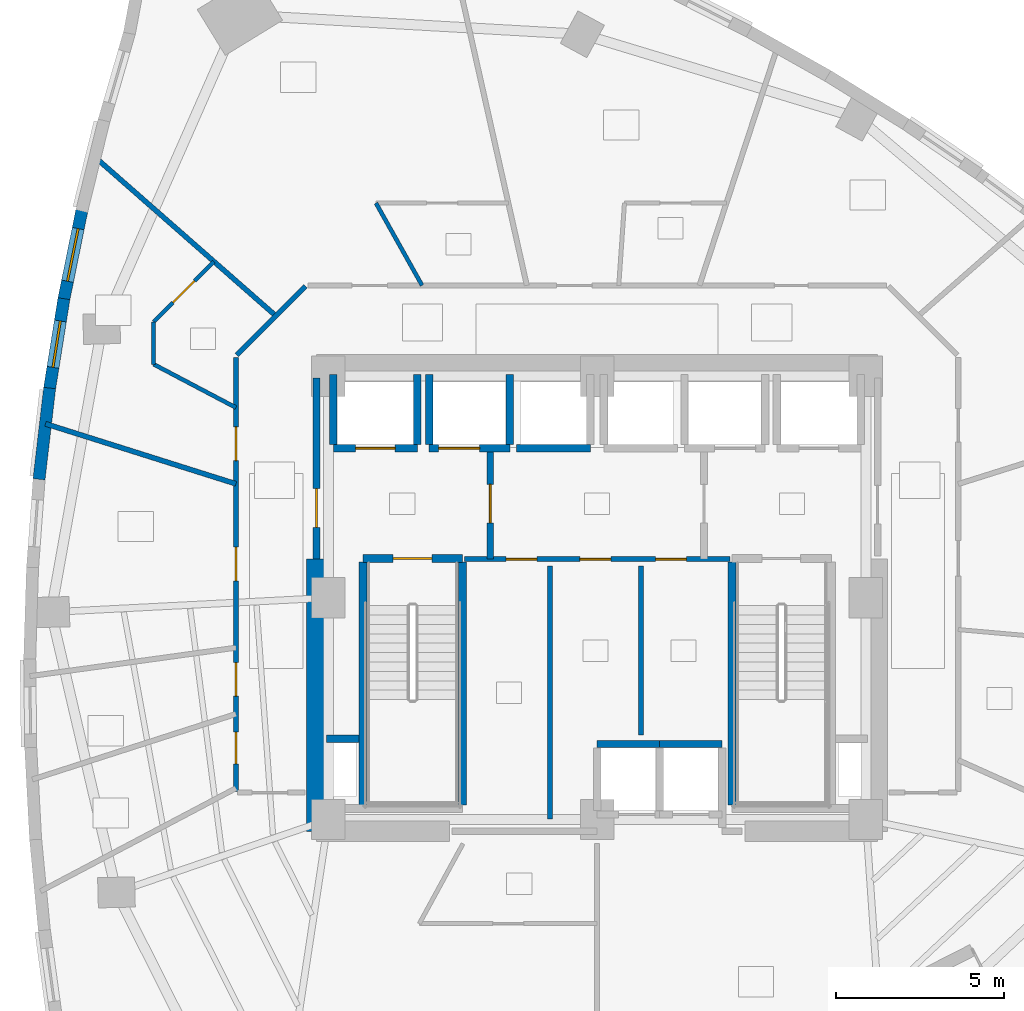
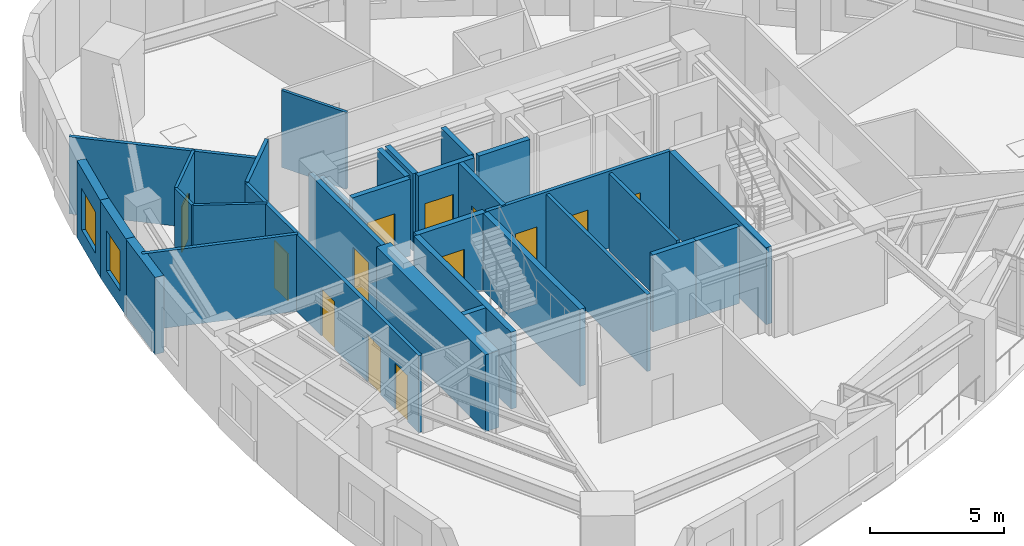
# One storey, part 6 of 11: 31 walls, 13 doors, 2 windows, 15 openings.
"""IFC4 building model written with IfcOpenShell, lengths in metres."""

from ifc_helpers import new_model, si_unit, direction, frame, frame_2d, origin, place, context, subcontext, project, spatial, rectangle, extrude, material, layer, layer_set, type_object, element, fill, save


model = new_model("IFC4")

# Units and contexts
model_context = context("Model", 3, precision=1e-05, world=origin(), true_north=direction((0.0, 1.0)))
body_context = subcontext(model_context, "Body", "Model", "MODEL_VIEW")
ifc_project = project(units=[si_unit("LENGTHUNIT", "METRE"), si_unit("AREAUNIT", "SQUARE_METRE"), si_unit("VOLUMEUNIT", "CUBIC_METRE"), si_unit("PLANEANGLEUNIT", "RADIAN"), si_unit("MASSUNIT", "GRAM", prefix="KILO")], contexts=[model_context])

# Site, building, storey
site_placement = place(None, origin())
site = spatial("IfcSite", under=ifc_project, at=site_placement, CompositionType="ELEMENT")
building_placement = place(site_placement, origin())
building = spatial("IfcBuilding", under=site, at=building_placement, Name="Ndelora Gate Hotel", CompositionType="ELEMENT")
storey_placement = place(building_placement, frame((0.0, 0.0, 108.5)))
storey = spatial("IfcBuildingStorey", under=building, at=storey_placement, Name="L26", CompositionType="ELEMENT", Elevation=108.5)

# Wall, opening, window
ifc_material_1 = material(Name="Clay Brick Masonry", Category="masonry")
ifc_layer_1 = layer(ifc_material_1, 0.360107421875)
ifc_layer_set_1 = layer_set([ifc_layer_1], Name="Clay Brick Masonry")
wall_type_1 = type_object("IfcWallType", Name="WL-BRICK-360", PredefinedType="SOLIDWALL", material=ifc_layer_set_1)
wall_1_placement = place(storey_placement, frame((-15.879638671875, 8.855224609375, 0.0), z_axis=(0.0, 0.0, 1.0), x_axis=(0.198770408376, 0.980046082975, 0.0)))
wall_1 = element("IfcWall", 1, at=wall_1_placement, inside=storey, type_object=wall_type_1, Name="L26 Tower Brick Pier-and-Spandrel Wall TWR-11", PredefinedType="SOLIDWALL", context=body_context, shape_type="SweptSolid", body=[
    extrude(rectangle(XDim=2.758544921875, YDim=0.360107421875, at=frame_2d((1.37939453125, 0.0))), origin(), (0.0, 0.0, 1.0), 3.5),
])
opening_1_placement = place(wall_1_placement, frame((0.579345703125, 0.0, 0.719970703125)))
opening_1 = element("IfcOpeningElement", 2, at=opening_1_placement, cuts=wall_1, Name="Opening W01", PredefinedType="OPENING", context=body_context, shape_type="SweptSolid", body=[
    extrude(rectangle(XDim=1.60009765625, YDim=1.8798828125, at=frame_2d((0.800048828125, 0.93994140625))), frame((0.0, 0.18994140625, 0.0), z_axis=(0.0, -1.0, 0.0), x_axis=(1.0, 0.0, 0.0)), (0.0, 0.0, 1.0), 0.380126953125),
])
ifc_material_2 = material(Name="Insulated Low-E Double Glazing in Bronze Aluminium Frame", Category="aluminium")
window_type_1 = type_object("IfcWindowType", Name="WN-DEEP-1600", PartitioningType="SINGLE_PANEL", PredefinedType="WINDOW", material=ifc_material_2)
window_1_placement = place(opening_1_placement, origin())
window_1 = element("IfcWindow", 3, at=window_1_placement, inside=storey, type_object=window_type_1, Name="L26 Deep-Set Brick-Pier Window W01", OverallHeight=1.8798828125, OverallWidth=1.60009765625, PartitioningType="SINGLE_PANEL", PredefinedType="WINDOW", context=body_context, shape_type="SweptSolid", body=[
    extrude(rectangle(XDim=1.60009765625, YDim=1.8798828125, at=frame_2d((0.800048828125, 0.93994140625))), frame((0.0, 0.030029296875, 0.0), z_axis=(0.0, -1.0, 0.0), x_axis=(1.0, 0.0, 0.0)), (0.0, 0.0, 1.0), 0.06005859375),
])
fill(opening_1, window_1)

wall_2_placement = place(storey_placement, frame((-16.302978515625, 6.19482421875, 0.0), z_axis=(0.0, 0.0, 1.0), x_axis=(0.157483842532, 0.987521563988, 0.0)))
wall_2 = element("IfcWall", 4, at=wall_2_placement, inside=storey, type_object=wall_type_1, Name="L26 Tower Brick Pier-and-Spandrel Wall TWR-12", PredefinedType="SOLIDWALL", context=body_context, shape_type="SweptSolid", body=[
    extrude(rectangle(XDim=2.743896484375, YDim=0.360107421875, at=frame_2d((1.3720703125, 0.0))), origin(), (0.0, 0.0, 1.0), 3.5),
])
opening_2_placement = place(wall_2_placement, frame((0.672119140625, 0.0, 0.719970703125)))
opening_2 = element("IfcOpeningElement", 5, at=opening_2_placement, cuts=wall_2, Name="Opening W02", PredefinedType="OPENING", context=body_context, shape_type="SweptSolid", body=[
    extrude(rectangle(XDim=1.39990234375, YDim=1.840087890625, at=frame_2d((0.699951171875, 0.919921875))), frame((0.0, 0.18994140625, 0.0), z_axis=(0.0, -1.0, 0.0), x_axis=(1.0, 0.0, 0.0)), (0.0, 0.0, 1.0), 0.380126953125),
])
window_type_2 = type_object("IfcWindowType", Name="WN-DEEP-1400", PartitioningType="SINGLE_PANEL", PredefinedType="WINDOW", material=ifc_material_2)
window_2_placement = place(opening_2_placement, origin())
window_2 = element("IfcWindow", 6, at=window_2_placement, inside=storey, type_object=window_type_2, Name="L26 Deep-Set Brick-Pier Window W02", OverallHeight=1.840087890625, OverallWidth=1.39990234375, PartitioningType="SINGLE_PANEL", PredefinedType="WINDOW", context=body_context, shape_type="SweptSolid", body=[
    extrude(rectangle(XDim=1.39990234375, YDim=1.840087890625, at=frame_2d((0.699951171875, 0.919921875))), frame((0.0, 0.030029296875, 0.0), z_axis=(0.0, -1.0, 0.0), x_axis=(1.0, 0.0, 0.0)), (0.0, 0.0, 1.0), 0.06005859375),
])
fill(opening_2, window_2)

# Walls
wall_3_placement = place(storey_placement, frame((-16.61279296875, 3.5283203125, 0.0), z_axis=(0.0, 0.0, 1.0), x_axis=(0.115711868465, 0.993282821505, 0.0)))
element("IfcWall", 7, at=wall_3_placement, inside=storey, type_object=wall_type_1, Name="L26 Tower Brick Pier-and-Spandrel Wall TWR-13", PredefinedType="SOLIDWALL", context=body_context, shape_type="SweptSolid", body=[
    extrude(rectangle(XDim=2.734375, YDim=0.360107421875, at=frame_2d((1.3671875, 0.0))), origin(), (0.0, 0.0, 1.0), 3.5),
])
ifc_material_3 = material(Name="Concrete C60/75", Category="concrete")
ifc_layer_2 = layer(ifc_material_3, 0.60009765625)
ifc_layer_set_2 = layer_set([ifc_layer_2], Name="Concrete C60/75")
wall_type_2 = type_object("IfcWallType", Name="WL-CORE-600", PredefinedType="SHEAR", material=ifc_layer_set_2)
wall_4_placement = place(storey_placement, frame((-8.35009765625, -6.949951171875, 0.0), z_axis=(0.0, 0.0, 1.0), x_axis=(0.0, 1.0, 0.0)))
element("IfcWall", 8, at=wall_4_placement, inside=storey, type_object=wall_type_2, Name="L26 Core Shear Wall W", PredefinedType="SHEAR", context=body_context, shape_type="SweptSolid", body=[
    extrude(rectangle(XDim=8.099853515625, YDim=0.60009765625, at=frame_2d((4.0498046875, 0.0))), origin(), (0.0, 0.0, 1.0), 3.5),
])

# Wall, opening, door
ifc_material_4 = material(Name="Concrete C40/50", Category="concrete")
ifc_layer_3 = layer(ifc_material_4, 0.199951171875)
ifc_layer_set_3 = layer_set([ifc_layer_3], Name="Concrete C40/50")
wall_type_3 = type_object("IfcWallType", Name="WL-FIRE-200", PredefinedType="PARTITIONING", material=ifc_layer_set_3)
wall_5_placement = place(storey_placement, frame((-3.179931640625, 1.14990234375, 0.0), z_axis=(0.0, 0.0, 1.0), x_axis=(0.0, 1.0, 0.0)))
wall_5 = element("IfcWall", 9, at=wall_5_placement, inside=storey, type_object=wall_type_3, Name="L26 Interior Wall IW-2", PredefinedType="PARTITIONING", context=body_context, shape_type="SweptSolid", body=[
    extrude(rectangle(XDim=3.300048828125, YDim=0.199951171875, at=frame_2d((1.64990234375, 0.0))), origin(), (0.0, 0.0, 1.0), 3.5),
])
opening_3_placement = place(wall_5_placement, frame((1.080078125, 0.0, 0.0)))
opening_3 = element("IfcOpeningElement", 10, at=opening_3_placement, cuts=wall_5, Name="Opening FD1", PredefinedType="OPENING", context=body_context, shape_type="SweptSolid", body=[
    extrude(rectangle(XDim=1.14990234375, YDim=2.14990234375, at=frame_2d((0.574951171875, 1.074951171875))), frame((0.0, 0.10986328125, 0.0), z_axis=(0.0, -1.0, 0.0), x_axis=(1.0, 0.0, 0.0)), (0.0, 0.0, 1.0), 0.219970703125),
])
ifc_material_5 = material(Name="Fire-Rated Timber-Veneer Steel Core", Category="steel")
door_type_1 = type_object("IfcDoorType", Name="DR-FD60", OperationType="SINGLE_SWING_LEFT", PredefinedType="DOOR", material=ifc_material_5)
door_1_placement = place(opening_3_placement, origin())
door_1 = element("IfcDoor", 11, at=door_1_placement, inside=storey, type_object=door_type_1, Name="L26 Firefighting Lobby West Door", OperationType="SINGLE_SWING_RIGHT", OverallHeight=2.14990234375, OverallWidth=1.14990234375, PredefinedType="DOOR", context=body_context, shape_type="SweptSolid", body=[
    extrude(rectangle(XDim=1.14990234375, YDim=2.14990234375, at=frame_2d((0.574951171875, 1.074951171875))), frame((0.0, 0.02490234375, 0.0), z_axis=(0.0, -1.0, 0.0), x_axis=(1.0, 0.0, 0.0)), (0.0, 0.0, 1.0), 0.050048828125),
])
fill(opening_3, door_1)

wall_6_placement = place(storey_placement, frame((-8.35009765625, 1.14990234375, 0.0), z_axis=(0.0, 0.0, 1.0), x_axis=(0.0, 1.0, 0.0)))
wall_6 = element("IfcWall", 12, at=wall_6_placement, inside=storey, type_object=wall_type_3, Name="L26 Interior Wall IW-2", PredefinedType="PARTITIONING", context=body_context, shape_type="SweptSolid", body=[
    extrude(rectangle(XDim=5.400146484375, YDim=0.199951171875, at=frame_2d((2.7001953125, 0.0))), origin(), (0.0, 0.0, 1.0), 3.5),
])
opening_4_placement = place(wall_6_placement, frame((0.949951171875, 0.0, 0.0)))
opening_4 = element("IfcOpeningElement", 13, at=opening_4_placement, cuts=wall_6, Name="Opening FD1", PredefinedType="OPENING", context=body_context, shape_type="SweptSolid", body=[
    extrude(rectangle(XDim=1.14990234375, YDim=2.14990234375, at=frame_2d((0.574951171875, 1.074951171875))), frame((0.0, 0.10986328125, 0.0), z_axis=(0.0, -1.0, 0.0), x_axis=(1.0, 0.0, 0.0)), (0.0, 0.0, 1.0), 0.219970703125),
])
door_2_placement = place(opening_4_placement, origin())
door_2 = element("IfcDoor", 14, at=door_2_placement, inside=storey, type_object=door_type_1, Name="L26 Firefighting Lobby West Corridor Door", OperationType="SINGLE_SWING_LEFT", OverallHeight=2.14990234375, OverallWidth=1.14990234375, PredefinedType="DOOR", context=body_context, shape_type="SweptSolid", body=[
    extrude(rectangle(XDim=1.14990234375, YDim=2.14990234375, at=frame_2d((0.574951171875, 1.074951171875))), frame((0.0, 0.02490234375, 0.0), z_axis=(0.0, -1.0, 0.0), x_axis=(1.0, 0.0, 0.0)), (0.0, 0.0, 1.0), 0.050048828125),
])
fill(opening_4, door_2)

# Wall, openings, doors
ifc_material_6 = material(Name="Fire-Rated Gypsum Stud Partition", Category="gypsum")
ifc_layer_4 = layer(ifc_material_6, 0.14990234375)
ifc_layer_set_4 = layer_set([ifc_layer_4], Name="Fire-Rated Gypsum Stud Partition")
wall_type_4 = type_object("IfcWallType", Name="WL-PART-150", PredefinedType="PARTITIONING", material=ifc_layer_set_4)
wall_7_placement = place(storey_placement, frame((3.949951171875, 1.14990234375, 0.0), z_axis=(0.0, 0.0, 1.0), x_axis=(-1.0, 0.0, 0.0)))
wall_7 = element("IfcWall", 15, at=wall_7_placement, inside=storey, type_object=wall_type_4, Name="L26 Interior Wall IW-5", PredefinedType="PARTITIONING", context=body_context, shape_type="SweptSolid", body=[
    extrude(rectangle(XDim=7.89990234375, YDim=0.14990234375, at=frame_2d((3.949951171875, 0.0))), origin(), (0.0, 0.0, 1.0), 3.5),
])
opening_5_placement = place(wall_7_placement, frame((5.739990234375, 0.0, 0.0)))
opening_5 = element("IfcOpeningElement", 16, at=opening_5_placement, cuts=wall_7, Name="Opening D04", PredefinedType="OPENING", context=body_context, shape_type="SweptSolid", body=[
    extrude(rectangle(XDim=0.919921875, YDim=2.050048828125, at=frame_2d((0.4599609375, 1.02490234375))), frame((0.0, 0.0849609375, 0.0), z_axis=(0.0, -1.0, 0.0), x_axis=(1.0, 0.0, 0.0)), (0.0, 0.0, 1.0), 0.169921875),
])
opening_6_placement = place(wall_7_placement, frame((3.5400390625, 0.0, 0.0)))
opening_6 = element("IfcOpeningElement", 17, at=opening_6_placement, cuts=wall_7, Name="Opening D04", PredefinedType="OPENING", context=body_context, shape_type="SweptSolid", body=[
    extrude(rectangle(XDim=0.919921875, YDim=2.050048828125, at=frame_2d((0.4599609375, 1.02490234375))), frame((0.0, 0.0849609375, 0.0), z_axis=(0.0, -1.0, 0.0), x_axis=(1.0, 0.0, 0.0)), (0.0, 0.0, 1.0), 0.169921875),
])
opening_7_placement = place(wall_7_placement, frame((1.2900390625, 0.0, 0.0)))
opening_7 = element("IfcOpeningElement", 18, at=opening_7_placement, cuts=wall_7, Name="Opening D04", PredefinedType="OPENING", context=body_context, shape_type="SweptSolid", body=[
    extrude(rectangle(XDim=0.919921875, YDim=2.050048828125, at=frame_2d((0.4599609375, 1.02490234375))), frame((0.0, 0.0849609375, 0.0), z_axis=(0.0, -1.0, 0.0), x_axis=(1.0, 0.0, 0.0)), (0.0, 0.0, 1.0), 0.169921875),
])
ifc_material_7 = material(Name="Painted Steel Core Service Door", Category="steel")
door_type_2 = type_object("IfcDoorType", Name="DR-SER-920", OperationType="SINGLE_SWING_LEFT", PredefinedType="DOOR", material=ifc_material_7)
door_3_placement = place(opening_5_placement, origin())
door_3 = element("IfcDoor", 19, at=door_3_placement, inside=storey, type_object=door_type_2, Name="L26 Core Cleaners Store Door", OperationType="SINGLE_SWING_LEFT", OverallHeight=2.050048828125, OverallWidth=0.919921875, PredefinedType="DOOR", context=body_context, shape_type="SweptSolid", body=[
    extrude(rectangle(XDim=0.919921875, YDim=2.050048828125, at=frame_2d((0.4599609375, 1.02490234375))), frame((0.0, 0.02490234375, 0.0), z_axis=(0.0, -1.0, 0.0), x_axis=(1.0, 0.0, 0.0)), (0.0, 0.0, 1.0), 0.050048828125),
])
fill(opening_5, door_3)
door_4_placement = place(opening_6_placement, origin())
door_4 = element("IfcDoor", 20, at=door_4_placement, inside=storey, type_object=door_type_2, Name="L26 Core Telecoms Equipment Room Door", OperationType="SINGLE_SWING_RIGHT", OverallHeight=2.050048828125, OverallWidth=0.919921875, PredefinedType="DOOR", context=body_context, shape_type="SweptSolid", body=[
    extrude(rectangle(XDim=0.919921875, YDim=2.050048828125, at=frame_2d((0.4599609375, 1.02490234375))), frame((0.0, 0.02490234375, 0.0), z_axis=(0.0, -1.0, 0.0), x_axis=(1.0, 0.0, 0.0)), (0.0, 0.0, 1.0), 0.050048828125),
])
fill(opening_6, door_4)
door_5_placement = place(opening_7_placement, origin())
door_5 = element("IfcDoor", 21, at=door_5_placement, inside=storey, type_object=door_type_2, Name="L26 Core Electrical Metering Room Door", OperationType="SINGLE_SWING_LEFT", OverallHeight=2.050048828125, OverallWidth=0.919921875, PredefinedType="DOOR", context=body_context, shape_type="SweptSolid", body=[
    extrude(rectangle(XDim=0.919921875, YDim=2.050048828125, at=frame_2d((0.4599609375, 1.02490234375))), frame((0.0, 0.02490234375, 0.0), z_axis=(0.0, -1.0, 0.0), x_axis=(1.0, 0.0, 0.0)), (0.0, 0.0, 1.0), 0.050048828125),
])
fill(opening_7, door_5)

# Walls
wall_8_placement = place(storey_placement, frame((-1.39990234375, -6.580078125, 0.0), z_axis=(0.0, 0.0, 1.0), x_axis=(0.0, 1.0, 0.0)))
element("IfcWall", 22, at=wall_8_placement, inside=storey, type_object=wall_type_4, Name="L26 Interior Wall IW-5", PredefinedType="PARTITIONING", context=body_context, shape_type="SweptSolid", body=[
    extrude(rectangle(XDim=7.530029296875, YDim=0.14990234375, at=frame_2d((3.76513671875, 0.0))), origin(), (0.0, 0.0, 1.0), 3.5),
])
wall_9_placement = place(storey_placement, frame((1.300048828125, -4.080078125, 0.0), z_axis=(0.0, 0.0, 1.0), x_axis=(0.0, 1.0, 0.0)))
element("IfcWall", 23, at=wall_9_placement, inside=storey, type_object=wall_type_4, Name="L26 Interior Wall IW-5", PredefinedType="PARTITIONING", context=body_context, shape_type="SweptSolid", body=[
    extrude(rectangle(XDim=5.030029296875, YDim=0.14990234375, at=frame_2d((2.51513671875, 0.0))), origin(), (0.0, 0.0, 1.0), 3.5),
])
wall_10_placement = place(storey_placement, frame((-10.7216796875, 7.228271484375, 0.0), z_axis=(0.0, 0.0, 1.0), x_axis=(0.707106781187, 0.707106781187, 0.0)))
element("IfcWall", 24, at=wall_10_placement, inside=storey, type_object=wall_type_4, Name="L26 Interior Wall IW-5", PredefinedType="PARTITIONING", context=body_context, shape_type="SweptSolid", body=[
    extrude(rectangle(XDim=2.889892578125, YDim=0.14990234375, at=frame_2d((1.44482421875, 0.0))), origin(), (0.0, 0.0, 1.0), 3.5),
])

# Wall, openings, doors
wall_11_placement = place(storey_placement, frame((-10.75, -5.760009765625, 0.0), z_axis=(0.0, 0.0, 1.0), x_axis=(0.0, 1.0, 0.0)))
wall_11 = element("IfcWall", 25, at=wall_11_placement, inside=storey, type_object=wall_type_4, Name="L26 Interior Wall IW-5", PredefinedType="PARTITIONING", context=body_context, shape_type="SweptSolid", body=[
    extrude(rectangle(XDim=12.919921875, YDim=0.14990234375, at=frame_2d((6.4599609375, 0.0))), origin(), (0.0, 0.0, 1.0), 3.5),
])
opening_8_placement = place(wall_11_placement, frame((2.834716796875, 0.0, 0.0)))
opening_8 = element("IfcOpeningElement", 26, at=opening_8_placement, cuts=wall_11, Name="Opening D01", PredefinedType="OPENING", context=body_context, shape_type="SweptSolid", body=[
    extrude(rectangle(XDim=1.0, YDim=2.14990234375, at=frame_2d((0.5, 1.074951171875))), frame((0.0, 0.0849609375, 0.0), z_axis=(0.0, -1.0, 0.0), x_axis=(1.0, 0.0, 0.0)), (0.0, 0.0, 1.0), 0.169921875),
])
opening_9_placement = place(wall_11_placement, frame((0.81591796875, 0.0, 0.0)))
opening_9 = element("IfcOpeningElement", 27, at=opening_9_placement, cuts=wall_11, Name="Opening D05", PredefinedType="OPENING", context=body_context, shape_type="SweptSolid", body=[
    extrude(rectangle(XDim=0.949951171875, YDim=2.10009765625, at=frame_2d((0.47509765625, 1.050048828125))), frame((0.0, 0.0849609375, 0.0), z_axis=(0.0, -1.0, 0.0), x_axis=(1.0, 0.0, 0.0)), (0.0, 0.0, 1.0), 0.169921875),
])
opening_10_placement = place(wall_11_placement, frame((9.8466796875, 0.0, 0.0)))
opening_10 = element("IfcOpeningElement", 28, at=opening_10_placement, cuts=wall_11, Name="Opening D01", PredefinedType="OPENING", context=body_context, shape_type="SweptSolid", body=[
    extrude(rectangle(XDim=1.0, YDim=2.14990234375, at=frame_2d((0.5, 1.074951171875))), frame((0.0, 0.0849609375, 0.0), z_axis=(0.0, -1.0, 0.0), x_axis=(1.0, 0.0, 0.0)), (0.0, 0.0, 1.0), 0.169921875),
])
opening_11_placement = place(wall_11_placement, frame((6.266845703125, 0.0, 0.0)))
opening_11 = element("IfcOpeningElement", 29, at=opening_11_placement, cuts=wall_11, Name="Opening D01", PredefinedType="OPENING", context=body_context, shape_type="SweptSolid", body=[
    extrude(rectangle(XDim=1.0, YDim=2.14990234375, at=frame_2d((0.5, 1.074951171875))), frame((0.0, 0.0849609375, 0.0), z_axis=(0.0, -1.0, 0.0), x_axis=(1.0, 0.0, 0.0)), (0.0, 0.0, 1.0), 0.169921875),
])
ifc_material_8 = material(Name="Accessible Restroom Wide-Clearance Door", Category="wood")
door_type_3 = type_object("IfcDoorType", Name="DR-ACC-950", OperationType="SINGLE_SWING_LEFT", PredefinedType="DOOR", material=ifc_material_8)
door_6_placement = place(opening_9_placement, origin())
door_6 = element("IfcDoor", 30, at=door_6_placement, inside=storey, type_object=door_type_3, Name="L26 Accessible WC Entrance Door", OperationType="SINGLE_SWING_LEFT", OverallHeight=2.10009765625, OverallWidth=0.949951171875, PredefinedType="DOOR", context=body_context, shape_type="SweptSolid", body=[
    extrude(rectangle(XDim=0.949951171875, YDim=2.10009765625, at=frame_2d((0.47509765625, 1.050048828125))), frame((0.0, 0.02490234375, 0.0), z_axis=(0.0, -1.0, 0.0), x_axis=(1.0, 0.0, 0.0)), (0.0, 0.0, 1.0), 0.050048828125),
])
fill(opening_9, door_6)
ifc_material_9 = material(Name="Acoustic Hardwood Guest Entrance Door", Category="wood")
door_type_4 = type_object("IfcDoorType", Name="DR-COR-1000", OperationType="SINGLE_SWING_LEFT", PredefinedType="DOOR", material=ifc_material_9)
door_7_placement = place(opening_8_placement, origin())
door_7 = element("IfcDoor", 31, at=door_7_placement, inside=storey, type_object=door_type_4, Name="L26 Housekeeping and Linen Room Entrance Door", OperationType="SINGLE_SWING_RIGHT", OverallHeight=2.14990234375, OverallWidth=1.0, PredefinedType="DOOR", context=body_context, shape_type="SweptSolid", body=[
    extrude(rectangle(XDim=1.0, YDim=2.14990234375, at=frame_2d((0.5, 1.074951171875))), frame((0.0, 0.02490234375, 0.0), z_axis=(0.0, -1.0, 0.0), x_axis=(1.0, 0.0, 0.0)), (0.0, 0.0, 1.0), 0.050048828125),
])
fill(opening_8, door_7)
door_8_placement = place(opening_10_placement, origin())
door_8 = element("IfcDoor", 32, at=door_8_placement, inside=storey, type_object=door_type_4, Name="L26 Club Twin Guest Room 2905 Entrance Door", OperationType="SINGLE_SWING_RIGHT", OverallHeight=2.14990234375, OverallWidth=1.0, PredefinedType="DOOR", context=body_context, shape_type="SweptSolid", body=[
    extrude(rectangle(XDim=1.0, YDim=2.14990234375, at=frame_2d((0.5, 1.074951171875))), frame((0.0, 0.02490234375, 0.0), z_axis=(0.0, -1.0, 0.0), x_axis=(1.0, 0.0, 0.0)), (0.0, 0.0, 1.0), 0.050048828125),
])
fill(opening_10, door_8)
door_9_placement = place(opening_11_placement, origin())
door_9 = element("IfcDoor", 33, at=door_9_placement, inside=storey, type_object=door_type_4, Name="L26 Club Study Office Entrance Door", OperationType="SINGLE_SWING_LEFT", OverallHeight=2.14990234375, OverallWidth=1.0, PredefinedType="DOOR", context=body_context, shape_type="SweptSolid", body=[
    extrude(rectangle(XDim=1.0, YDim=2.14990234375, at=frame_2d((0.5, 1.074951171875))), frame((0.0, 0.02490234375, 0.0), z_axis=(0.0, -1.0, 0.0), x_axis=(1.0, 0.0, 0.0)), (0.0, 0.0, 1.0), 0.050048828125),
])
fill(opening_11, door_9)

# Walls
wall_12_placement = place(storey_placement, frame((-9.5595703125, 8.390380859375, 0.0), z_axis=(0.0, 0.0, 1.0), x_axis=(-0.751546074468, 0.659680602983, 0.0)))
element("IfcWall", 34, at=wall_12_placement, inside=storey, type_object=wall_type_4, Name="L26 Interior Wall IW-5", PredefinedType="PARTITIONING", context=body_context, shape_type="SweptSolid", body=[
    extrude(rectangle(XDim=7.16748046875, YDim=0.14990234375, at=frame_2d((3.583740234375, 0.0))), origin(), (0.0, 0.0, 1.0), 3.5),
])
wall_13_placement = place(storey_placement, frame((-10.75, 3.39208984375, 0.0), z_axis=(0.0, 0.0, 1.0), x_axis=(-0.953655865199, 0.300899469545, 0.0)))
element("IfcWall", 35, at=wall_13_placement, inside=storey, type_object=wall_type_4, Name="L26 Interior Wall IW-5", PredefinedType="PARTITIONING", context=body_context, shape_type="SweptSolid", body=[
    extrude(rectangle(XDim=5.94580078125, YDim=0.14990234375, at=frame_2d((2.972900390625, 0.0))), origin(), (0.0, 0.0, 1.0), 3.5),
])
ifc_layer_5 = layer(ifc_material_4, 0.219970703125)
ifc_layer_set_5 = layer_set([ifc_layer_5], Name="Concrete C40/50")
wall_type_5 = type_object("IfcWallType", Name="WL-SHAFT-220", PredefinedType="PARTITIONING", material=ifc_layer_set_5)
wall_14_placement = place(storey_placement, frame((-8.050048828125, -4.199951171875, 0.0), z_axis=(0.0, 0.0, 1.0), x_axis=(1.0, 0.0, 0.0)))
element("IfcWall", 36, at=wall_14_placement, inside=storey, type_object=wall_type_5, Name="L26 Interior Wall IW-1", PredefinedType="PARTITIONING", context=body_context, shape_type="SweptSolid", body=[
    extrude(rectangle(XDim=0.9599609375, YDim=0.219970703125, at=frame_2d((0.47998046875, 0.0))), origin(), (0.0, 0.0, 1.0), 3.5),
])

# Wall, opening, door
wall_15_placement = place(storey_placement, frame((-7.85009765625, 4.449951171875, 0.0), z_axis=(0.0, 0.0, 1.0), x_axis=(1.0, 0.0, 0.0)))
wall_15 = element("IfcWall", 37, at=wall_15_placement, inside=storey, type_object=wall_type_5, Name="L26 Interior Wall IW-1", PredefinedType="PARTITIONING", context=body_context, shape_type="SweptSolid", body=[
    extrude(rectangle(XDim=2.5, YDim=0.219970703125, at=frame_2d((1.25, 0.0))), origin(), (0.0, 0.0, 1.0), 3.5),
])
opening_12_placement = place(wall_15_placement, frame((0.659912109375, 0.0, 0.0)))
opening_12 = element("IfcOpeningElement", 38, at=opening_12_placement, cuts=wall_15, Name="Opening LD5", PredefinedType="OPENING", context=body_context, shape_type="SweptSolid", body=[
    extrude(rectangle(XDim=1.179931640625, YDim=2.14990234375, at=frame_2d((0.58984375, 1.074951171875))), frame((0.0, 0.1201171875, 0.0), z_axis=(0.0, -1.0, 0.0), x_axis=(1.0, 0.0, 0.0)), (0.0, 0.0, 1.0), 0.239990234375),
])
ifc_material_10 = material(Name="Firefighting Lift Stainless Sliding Landing Door", Category="metal")
door_type_5 = type_object("IfcDoorType", Name="DR-LD5", OperationType="DOUBLE_DOOR_SLIDING", PredefinedType="DOOR", material=ifc_material_10)
door_10_placement = place(opening_12_placement, origin())
door_10 = element("IfcDoor", 39, at=door_10_placement, inside=storey, type_object=door_type_5, Name="L26 Lift Landing Sliding Door FFL1", OperationType="DOUBLE_DOOR_SLIDING", OverallHeight=2.14990234375, OverallWidth=1.179931640625, PredefinedType="DOOR", context=body_context, shape_type="SweptSolid", body=[
    extrude(rectangle(XDim=1.179931640625, YDim=2.14990234375, at=frame_2d((0.58984375, 1.074951171875))), frame((0.0, 0.02490234375, 0.0), z_axis=(0.0, -1.0, 0.0), x_axis=(1.0, 0.0, 0.0)), (0.0, 0.0, 1.0), 0.050048828125),
])
fill(opening_12, door_10)

# Walls
wall_16_placement = place(storey_placement, frame((-7.85009765625, 4.570068359375, 0.0), z_axis=(0.0, 0.0, 1.0), x_axis=(0.0, 1.0, 0.0)))
element("IfcWall", 40, at=wall_16_placement, inside=storey, type_object=wall_type_5, Name="L26 Interior Wall IW-1", PredefinedType="PARTITIONING", context=body_context, shape_type="SweptSolid", body=[
    extrude(rectangle(XDim=2.079833984375, YDim=0.219970703125, at=frame_2d((1.0400390625, 0.0))), origin(), (0.0, 0.0, 1.0), 3.1201171875),
])
wall_17_placement = place(storey_placement, frame((-5.35009765625, 4.570068359375, 0.0), z_axis=(0.0, 0.0, 1.0), x_axis=(0.0, 1.0, 0.0)))
element("IfcWall", 41, at=wall_17_placement, inside=storey, type_object=wall_type_5, Name="L26 Interior Wall IW-1", PredefinedType="PARTITIONING", context=body_context, shape_type="SweptSolid", body=[
    extrude(rectangle(XDim=2.079833984375, YDim=0.219970703125, at=frame_2d((1.0400390625, 0.0))), origin(), (0.0, 0.0, 1.0), 3.5),
])

# Wall, opening, door
wall_18_placement = place(storey_placement, frame((-5.0, 4.449951171875, 0.0), z_axis=(0.0, 0.0, 1.0), x_axis=(1.0, 0.0, 0.0)))
wall_18 = element("IfcWall", 42, at=wall_18_placement, inside=storey, type_object=wall_type_5, Name="L26 Interior Wall IW-1", PredefinedType="PARTITIONING", context=body_context, shape_type="SweptSolid", body=[
    extrude(rectangle(XDim=2.39990234375, YDim=0.219970703125, at=frame_2d((1.199951171875, 0.0))), origin(), (0.0, 0.0, 1.0), 3.5),
])
opening_13_placement = place(wall_18_placement, frame((0.280029296875, 0.0, 0.0)))
opening_13 = element("IfcOpeningElement", 43, at=opening_13_placement, cuts=wall_18, Name="Opening LD6", PredefinedType="OPENING", context=body_context, shape_type="SweptSolid", body=[
    extrude(rectangle(XDim=1.219970703125, YDim=2.14990234375, at=frame_2d((0.60986328125, 1.074951171875))), frame((0.0, 0.1201171875, 0.0), z_axis=(0.0, -1.0, 0.0), x_axis=(1.0, 0.0, 0.0)), (0.0, 0.0, 1.0), 0.239990234375),
])
ifc_material_11 = material(Name="Heavy-Duty Service Lift Sliding Landing Door", Category="wood")
door_type_6 = type_object("IfcDoorType", Name="DR-LD6", OperationType="DOUBLE_DOOR_SLIDING", PredefinedType="DOOR", material=ifc_material_11)
door_11_placement = place(opening_13_placement, origin())
door_11 = element("IfcDoor", 44, at=door_11_placement, inside=storey, type_object=door_type_6, Name="L26 Lift Landing Sliding Door SVL1", OperationType="DOUBLE_DOOR_SLIDING", OverallHeight=2.14990234375, OverallWidth=1.219970703125, PredefinedType="DOOR", context=body_context, shape_type="SweptSolid", body=[
    extrude(rectangle(XDim=1.219970703125, YDim=2.14990234375, at=frame_2d((0.60986328125, 1.074951171875))), frame((0.0, 0.02490234375, 0.0), z_axis=(0.0, -1.0, 0.0), x_axis=(1.0, 0.0, 0.0)), (0.0, 0.0, 1.0), 0.050048828125),
])
fill(opening_13, door_11)

# Walls
for number, where, z_axis, x_axis, name in (
    (45, (-5.0, 4.570068359375, 0.0), (0.0, 0.0, 1.0), (0.0, 1.0, 0.0), "L26 Interior Wall IW-1"),
    (46, (-2.60009765625, 4.570068359375, 0.0), (0.0, 0.0, 1.0), (0.0, 1.0, 0.0), "L26 Interior Wall IW-1"),
):
    element("IfcWall", number, at=place(storey_placement, frame(where, z_axis=z_axis, x_axis=x_axis)), inside=storey, type_object=wall_type_5, Name=name, PredefinedType="PARTITIONING", context=body_context, shape_type="SweptSolid", body=[
        extrude(rectangle(XDim=2.079833984375, YDim=0.219970703125, at=frame_2d((1.0400390625, 0.0))), origin(), (0.0, 0.0, 1.0), 3.5),
    ])
wall_19_placement = place(storey_placement, frame((0.0, -4.35009765625, 0.0), z_axis=(0.0, 0.0, 1.0), x_axis=(1.0, 0.0, 0.0)))
element("IfcWall", 47, at=wall_19_placement, inside=storey, type_object=wall_type_5, Name="L26 Interior Wall IW-1", PredefinedType="PARTITIONING", context=body_context, shape_type="SweptSolid", body=[
    extrude(rectangle(XDim=1.860107421875, YDim=0.219970703125, at=frame_2d((0.93017578125, 0.0))), origin(), (0.0, 0.0, 1.0), 3.5),
])
wall_20_placement = place(storey_placement, frame((1.860107421875, -4.35009765625, 0.0), z_axis=(0.0, 0.0, 1.0), x_axis=(1.0, 0.0, 0.0)))
element("IfcWall", 48, at=wall_20_placement, inside=storey, type_object=wall_type_5, Name="L26 Interior Wall IW-1", PredefinedType="PARTITIONING", context=body_context, shape_type="SweptSolid", body=[
    extrude(rectangle(XDim=1.85986328125, YDim=0.219970703125, at=frame_2d((0.929931640625, 0.0))), origin(), (0.0, 0.0, 1.0), 3.5),
])
wall_21_placement = place(storey_placement, frame((-2.39990234375, 4.449951171875, 0.0), z_axis=(0.0, 0.0, 1.0), x_axis=(1.0, 0.0, 0.0)))
element("IfcWall", 49, at=wall_21_placement, inside=storey, type_object=wall_type_5, Name="L26 Interior Wall IW-1", PredefinedType="PARTITIONING", context=body_context, shape_type="SweptSolid", body=[
    extrude(rectangle(XDim=2.199951171875, YDim=0.219970703125, at=frame_2d((1.10009765625, 0.0))), origin(), (0.0, 0.0, 1.0), 3.5),
])
ifc_material_12 = material(Name="Concrete C50/60", Category="concrete")
ifc_layer_6 = layer(ifc_material_12, 0.239990234375)
ifc_layer_set_6 = layer_set([ifc_layer_6], Name="Concrete C50/60")
wall_type_6 = type_object("IfcWallType", Name="WL-STAIR-240", PredefinedType="SHEAR", material=ifc_layer_set_6)
for number, where, z_axis, x_axis, name in (
    (50, (-6.969970703125, -6.159912109375, 0.0), (0.0, 0.0, 1.0), (0.0, 1.0, 0.0), "L26 Stair Core Shear Wall SW-ST"),
    (51, (-4.010009765625, -6.159912109375, 0.0), (0.0, 0.0, 1.0), (0.0, 1.0, 0.0), "L26 Stair Core Shear Wall SW-ST"),
):
    element("IfcWall", number, at=place(storey_placement, frame(where, z_axis=z_axis, x_axis=x_axis)), inside=storey, type_object=wall_type_6, Name=name, PredefinedType="SHEAR", context=body_context, shape_type="SweptSolid", body=[
        extrude(rectangle(XDim=7.219970703125, YDim=0.239990234375, at=frame_2d((3.60986328125, 0.0))), origin(), (0.0, 0.0, 1.0), 3.5),
    ])

# Wall, opening, door
wall_22_placement = place(storey_placement, frame((-6.969970703125, 1.169921875, 0.0), z_axis=(0.0, 0.0, 1.0), x_axis=(1.0, 0.0, 0.0)))
wall_22 = element("IfcWall", 52, at=wall_22_placement, inside=storey, type_object=wall_type_6, Name="L26 Stair Core Shear Wall SW-ST", PredefinedType="SHEAR", context=body_context, shape_type="SweptSolid", body=[
    extrude(rectangle(XDim=2.9599609375, YDim=0.239990234375, at=frame_2d((1.47998046875, 0.0))), origin(), (0.0, 0.0, 1.0), 3.5),
])
opening_14_placement = place(wall_22_placement, frame((0.89990234375, 0.0, 0.0)))
opening_14 = element("IfcOpeningElement", 53, at=opening_14_placement, cuts=wall_22, Name="Opening FD1", PredefinedType="OPENING", context=body_context, shape_type="SweptSolid", body=[
    extrude(rectangle(XDim=1.14990234375, YDim=2.14990234375, at=frame_2d((0.574951171875, 1.074951171875))), frame((0.0, 0.1298828125, 0.0), z_axis=(0.0, -1.0, 0.0), x_axis=(1.0, 0.0, 0.0)), (0.0, 0.0, 1.0), 0.260009765625),
])
door_12_placement = place(opening_14_placement, origin())
door_12 = element("IfcDoor", 54, at=door_12_placement, inside=storey, type_object=door_type_1, Name="L26 Exit Stair ST4 Door", OperationType="SINGLE_SWING_LEFT", OverallHeight=2.14990234375, OverallWidth=1.14990234375, PredefinedType="DOOR", context=body_context, shape_type="SweptSolid", body=[
    extrude(rectangle(XDim=1.14990234375, YDim=2.14990234375, at=frame_2d((0.574951171875, 1.074951171875))), frame((0.0, 0.02490234375, 0.0), z_axis=(0.0, -1.0, 0.0), x_axis=(1.0, 0.0, 0.0)), (0.0, 0.0, 1.0), 0.050048828125),
])
fill(opening_14, door_12)

# Walls
wall_23_placement = place(storey_placement, frame((4.010009765625, -6.159912109375, 0.0), z_axis=(0.0, 0.0, 1.0), x_axis=(0.0, 1.0, 0.0)))
element("IfcWall", 55, at=wall_23_placement, inside=storey, type_object=wall_type_6, Name="L26 Stair Core Shear Wall SW-ST", PredefinedType="SHEAR", context=body_context, shape_type="SweptSolid", body=[
    extrude(rectangle(XDim=7.219970703125, YDim=0.239990234375, at=frame_2d((3.60986328125, 0.0))), origin(), (0.0, 0.0, 1.0), 3.5),
])
ifc_material_13 = material(Name="Moisture-Resistant Bathroom Tile Partition", Category="gypsum")
ifc_layer_7 = layer(ifc_material_13, 0.1201171875)
ifc_layer_set_7 = layer_set([ifc_layer_7], Name="Moisture-Resistant Bathroom Tile Partition")
wall_type_7 = type_object("IfcWallType", Name="WL-WET-120", PredefinedType="PARTITIONING", material=ifc_layer_set_7)
wall_24_placement = place(storey_placement, frame((-5.210205078125, 9.300048828125, 0.0), z_axis=(0.0, 0.0, 1.0), x_axis=(-0.488696025712, 0.87245412169, 0.0)))
element("IfcWall", 56, at=wall_24_placement, inside=storey, type_object=wall_type_7, Name="L26 Interior Wall IW-7", PredefinedType="PARTITIONING", context=body_context, shape_type="SweptSolid", body=[
    extrude(rectangle(XDim=2.80810546875, YDim=0.1201171875, at=frame_2d((1.404052734375, 0.0))), origin(), (0.0, 0.0, 1.0), 3.5),
])
wall_25_placement = place(storey_placement, frame((-13.199951171875, 6.951904296875, 0.0), z_axis=(0.0, 0.0, 1.0), x_axis=(0.884793871957, -0.465982622152, 0.0)))
element("IfcWall", 57, at=wall_25_placement, inside=storey, type_object=wall_type_7, Name="L26 Interior Wall IW-7", PredefinedType="PARTITIONING", context=body_context, shape_type="SweptSolid", body=[
    extrude(rectangle(XDim=2.76904296875, YDim=0.1201171875, at=frame_2d((1.384521484375, 0.0))), origin(), (0.0, 0.0, 1.0), 3.5),
])
wall_26_placement = place(storey_placement, frame((-13.199951171875, 6.951904296875, 0.0), z_axis=(0.0, 0.0, 1.0), x_axis=(0.0, 1.0, 0.0)))
element("IfcWall", 58, at=wall_26_placement, inside=storey, type_object=wall_type_7, Name="L26 Interior Wall IW-7", PredefinedType="PARTITIONING", context=body_context, shape_type="SweptSolid", body=[
    extrude(rectangle(XDim=1.262939453125, YDim=0.1201171875, at=frame_2d((0.63134765625, 0.0))), origin(), (0.0, 0.0, 1.0), 3.5),
])

# Wall, opening, door
wall_27_placement = place(storey_placement, frame((-13.199951171875, 8.21484375, 0.0), z_axis=(0.0, 0.0, 1.0), x_axis=(0.707106781187, 0.707106781187, 0.0)))
wall_27 = element("IfcWall", 59, at=wall_27_placement, inside=storey, type_object=wall_type_7, Name="L26 Interior Wall IW-7", PredefinedType="PARTITIONING", context=body_context, shape_type="SweptSolid", body=[
    extrude(rectangle(XDim=2.538818359375, YDim=0.1201171875, at=frame_2d((1.26953125, 0.0))), origin(), (0.0, 0.0, 1.0), 3.5),
])
opening_15_placement = place(wall_27_placement, frame((0.8095703125, 0.0, 0.0)))
opening_15 = element("IfcOpeningElement", 60, at=opening_15_placement, cuts=wall_27, Name="Opening D03", PredefinedType="OPENING", context=body_context, shape_type="SweptSolid", body=[
    extrude(rectangle(XDim=0.919921875, YDim=2.10009765625, at=frame_2d((0.4599609375, 1.050048828125))), frame((0.0, 0.070068359375, 0.0), z_axis=(0.0, -1.0, 0.0), x_axis=(1.0, 0.0, 0.0)), (0.0, 0.0, 1.0), 0.14013671875),
])
ifc_material_14 = material(Name="Moisture-Resistant Hardwood En-Suite Door", Category="wood")
door_type_7 = type_object("IfcDoorType", Name="DR-BATH-920", OperationType="SINGLE_SWING_LEFT", PredefinedType="DOOR", material=ifc_material_14)
door_13_placement = place(opening_15_placement, origin())
door_13 = element("IfcDoor", 61, at=door_13_placement, inside=storey, type_object=door_type_7, Name="L26 En-suite Bathroom 2905 Door", OperationType="SINGLE_SWING_RIGHT", OverallHeight=2.10009765625, OverallWidth=0.919921875, PredefinedType="DOOR", context=body_context, shape_type="SweptSolid", body=[
    extrude(rectangle(XDim=0.919921875, YDim=2.10009765625, at=frame_2d((0.4599609375, 1.050048828125))), frame((0.0, 0.02490234375, 0.0), z_axis=(0.0, -1.0, 0.0), x_axis=(1.0, 0.0, 0.0)), (0.0, 0.0, 1.0), 0.050048828125),
])
fill(opening_15, door_13)

save(model, "model.ifc")
